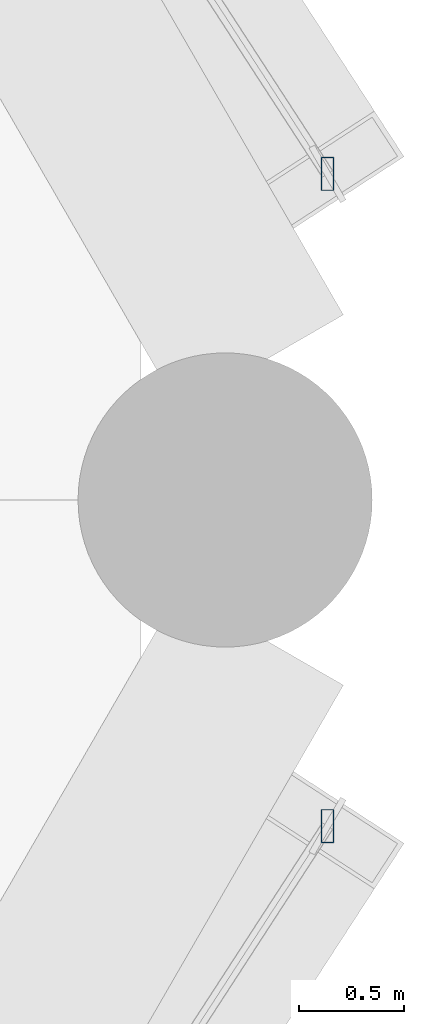
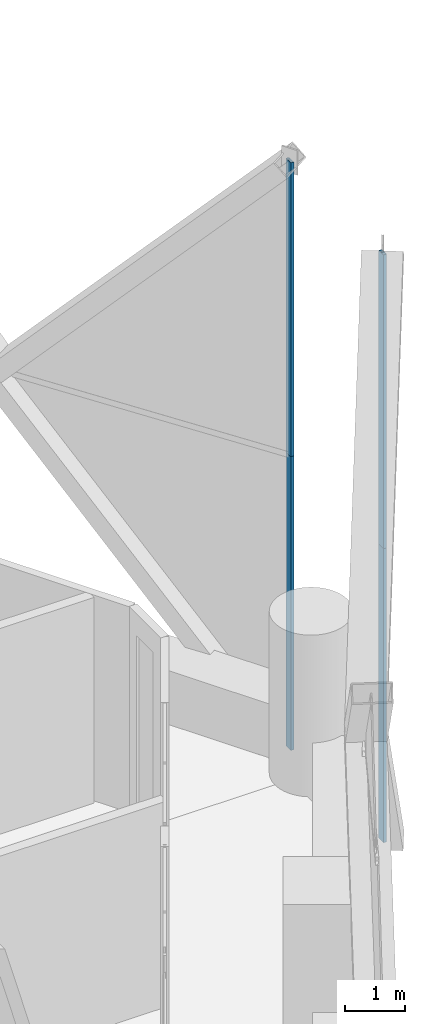
# One storey, part 24 of 46: 4 members, 2 elements without a shape of their own.
"""IFC4 building model written with IfcOpenShell, lengths in metres."""

from ifc_helpers import new_model, si_unit, direction, frame, origin, origin_2d, place, context, subcontext, project, spatial, hollow_rectangle, extrude, material, material_profile, profile_set, type_object, element, aggregate, save


model = new_model("IFC4")

# Units and contexts
model_context = context("Model", 3, precision=1e-05, world=origin(), true_north=direction((0.0, 1.0)))
body_context = subcontext(model_context, "Body", "Model", "MODEL_VIEW")
ifc_project = project(units=[si_unit("LENGTHUNIT", "METRE"), si_unit("AREAUNIT", "SQUARE_METRE"), si_unit("VOLUMEUNIT", "CUBIC_METRE"), si_unit("PLANEANGLEUNIT", "RADIAN"), si_unit("MASSUNIT", "GRAM", prefix="KILO")], contexts=[model_context])

# Site, building, storey
site_placement = place(None, origin())
site = spatial("IfcSite", under=ifc_project, at=site_placement, CompositionType="ELEMENT")
building_placement = place(site_placement, origin())
building = spatial("IfcBuilding", under=site, at=building_placement, Name="Ostrander Bayou Hotel Tower", CompositionType="ELEMENT")
storey_placement = place(building_placement, frame((0.0, 0.0, 23.5)))
storey = spatial("IfcBuildingStorey", under=building, at=storey_placement, Name="L05", CompositionType="ELEMENT", Elevation=23.5)

# Curtain wall, members
ifc_material_1 = material(Name="Aluminium and clear glass", Category="aluminium")
curtain_wall_type = type_object("IfcCurtainWallType", Name="CW-LAT lattice glazing", PredefinedType="NOTDEFINED", material=ifc_material_1)
curtain_wall_1_placement = place(storey_placement, origin())
curtain_wall_1 = element("IfcCurtainWall", 1, at=curtain_wall_1_placement, inside=storey, type_object=curtain_wall_type, Name="CW-LAT L05 SE 1", PredefinedType="NOTDEFINED")
ifc_material_2 = material(Name="Aluminium", Category="aluminium")
ifc_material_profile = material_profile(ifc_material_2, hollow_rectangle(XDim=0.06005859375, YDim=0.159912109375, WallThickness=0.00390625, at=origin_2d()))
ifc_profile_set = profile_set([ifc_material_profile], Name="Aluminium")
member_type = type_object("IfcMemberType", Name="CW-LA mullion 60 x 160 mm", PredefinedType="MULLION", material=ifc_profile_set)
member_1_placement = place(storey_placement, frame((24.58837890625, -1.551513671875, -0.60009765625), z_axis=(0.0, 0.0, 1.0), x_axis=(1.0, 0.0, 0.0)))
member_1 = element("IfcMember", 2, at=member_1_placement, type_object=member_type, Name="CW-LAT mullion 8", PredefinedType="MULLION", context=body_context, shape_type="SweptSolid", body=[
    extrude(hollow_rectangle(XDim=0.06005859375, YDim=0.159912109375, WallThickness=0.00390625, at=origin_2d()), origin(), (0.0, 0.0, 1.0), 6.0),
])
member_2_placement = place(storey_placement, frame((24.58837890625, -1.551513671875, 5.39990234375), z_axis=(0.0, 0.0, 1.0), x_axis=(1.0, 0.0, 0.0)))
member_2 = element("IfcMember", 3, at=member_2_placement, type_object=member_type, Name="CW-LAT mullion 9", PredefinedType="MULLION", context=body_context, shape_type="SweptSolid", body=[
    extrude(hollow_rectangle(XDim=0.06005859375, YDim=0.159912109375, WallThickness=0.00390625, at=origin_2d()), origin(), (0.0, 0.0, 1.0), 6.0),
])
aggregate(curtain_wall_1, [member_1, member_2])

curtain_wall_2_placement = place(storey_placement, origin())
curtain_wall_2 = element("IfcCurtainWall", 4, at=curtain_wall_2_placement, inside=storey, type_object=curtain_wall_type, Name="CW-LAT L05 NE 1", PredefinedType="NOTDEFINED")
member_3_placement = place(storey_placement, frame((24.58837890625, 1.551513671875, -0.60009765625), z_axis=(0.0, 0.0, 1.0), x_axis=(1.0, 0.0, 0.0)))
member_3 = element("IfcMember", 5, at=member_3_placement, type_object=member_type, Name="CW-LAT mullion 1", PredefinedType="MULLION", context=body_context, shape_type="SweptSolid", body=[
    extrude(hollow_rectangle(XDim=0.06005859375, YDim=0.159912109375, WallThickness=0.00390625, at=origin_2d()), origin(), (0.0, 0.0, 1.0), 6.0),
])
member_4_placement = place(storey_placement, frame((24.58837890625, 1.551513671875, 5.39990234375), z_axis=(0.0, 0.0, 1.0), x_axis=(1.0, 0.0, 0.0)))
member_4 = element("IfcMember", 6, at=member_4_placement, type_object=member_type, Name="CW-LAT mullion 2", PredefinedType="MULLION", context=body_context, shape_type="SweptSolid", body=[
    extrude(hollow_rectangle(XDim=0.06005859375, YDim=0.159912109375, WallThickness=0.00390625, at=origin_2d()), origin(), (0.0, 0.0, 1.0), 6.0),
])
aggregate(curtain_wall_2, [member_3, member_4])

save(model, "model.ifc")
